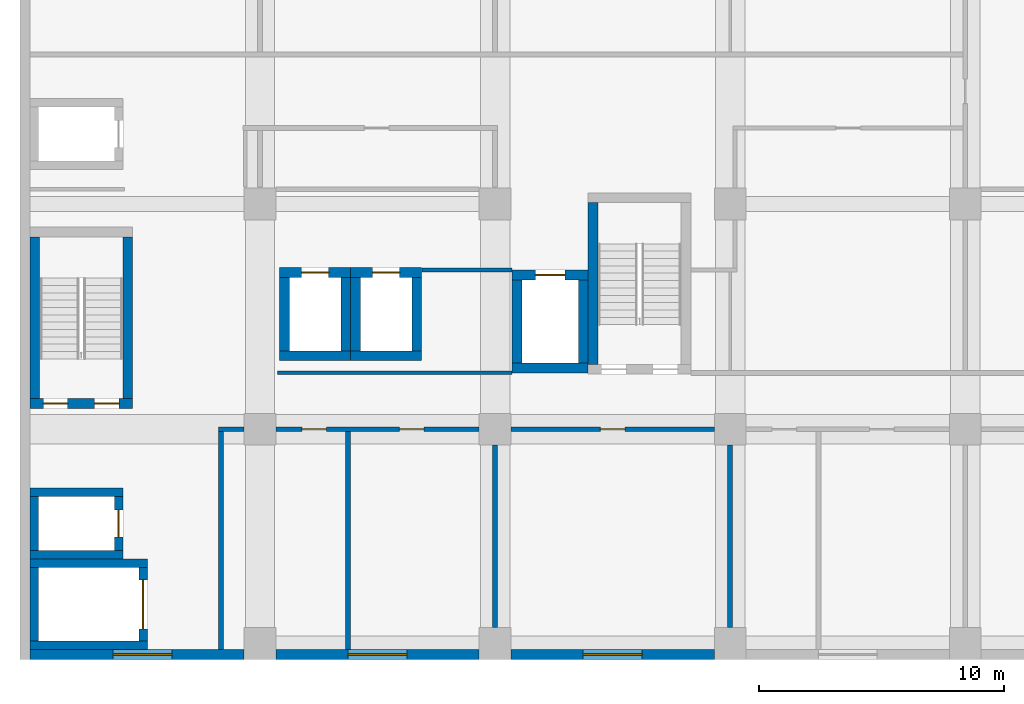
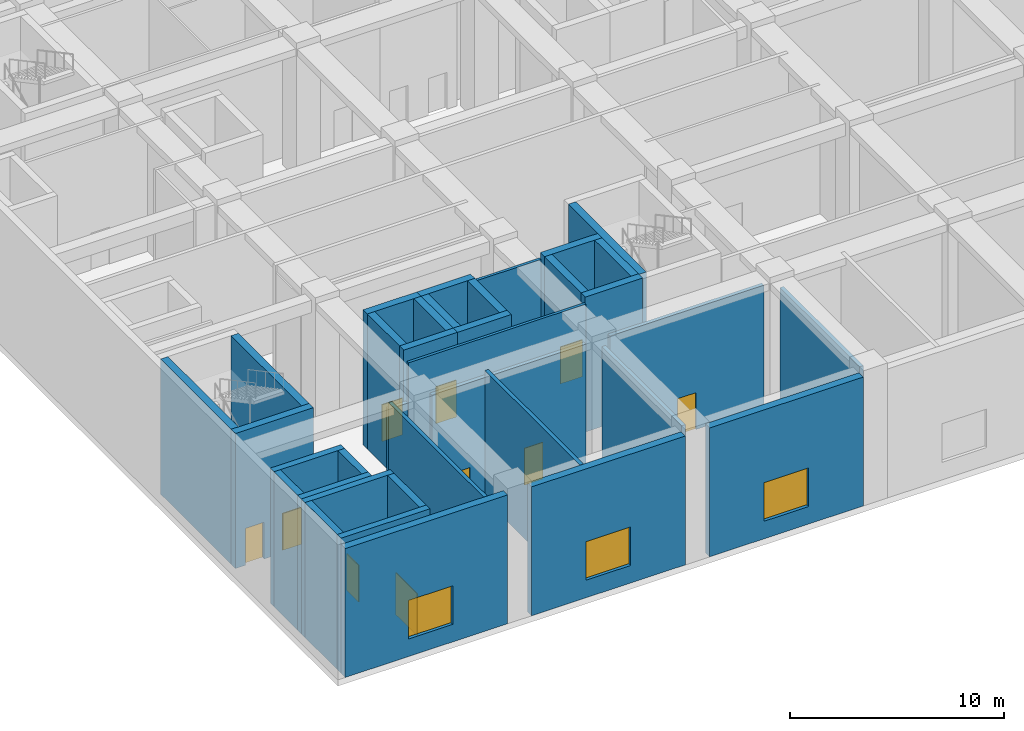
# One storey, part 11 of 33: 36 walls, 10 doors, 3 windows, 13 openings.
"""IFC4 building model written with IfcOpenShell, lengths in metres."""

from ifc_helpers import new_model, si_unit, direction, frame, frame_2d, origin, place, context, subcontext, project, spatial, rectangle, extrude, material, layer, layer_set, layer_usage, type_object, element, fill, save


model = new_model("IFC4")

# Units and contexts
model_context = context("Model", 3, precision=1e-05, world=origin(), true_north=direction((0.0, 1.0)))
body_context = subcontext(model_context, "Body", "Model", "MODEL_VIEW")
ifc_project = project(units=[si_unit("LENGTHUNIT", "METRE"), si_unit("AREAUNIT", "SQUARE_METRE"), si_unit("VOLUMEUNIT", "CUBIC_METRE"), si_unit("PLANEANGLEUNIT", "RADIAN"), si_unit("MASSUNIT", "GRAM", prefix="KILO")], contexts=[model_context])

# Site, building, storey
site_placement = place(None, origin())
site = spatial("IfcSite", under=ifc_project, at=site_placement, CompositionType="ELEMENT")
building_placement = place(site_placement, origin())
building = spatial("IfcBuilding", under=site, at=building_placement, Name="Nzadi Deep Aquarium and Research Tower", CompositionType="ELEMENT")
storey_placement = place(building_placement, frame((0.0, 0.0, 6.5)))
storey = spatial("IfcBuildingStorey", under=building, at=storey_placement, Name="L01", CompositionType="ELEMENT", Elevation=6.5)

# Walls
ifc_material_1 = material(Name="Blockwork masonry", Category="masonry")
ifc_layer_1 = layer(ifc_material_1, 0.14990234375)
ifc_layer_set_1 = layer_set([ifc_layer_1], Name="Blockwork masonry")
wall_type_1 = type_object("IfcWallType", Name="Partition 150 EI 60", PredefinedType="PARTITIONING", material=ifc_layer_set_1)
wall_1_placement = place(storey_placement, frame((10.324951171875, 11.5, 0.0), z_axis=(0.0, 0.0, 1.0), x_axis=(1.0, 0.0, 0.0)))
element("IfcWall", 1, at=wall_1_placement, inside=storey, type_object=wall_type_1, Name="W-Z1-L01-P019", PredefinedType="PARTITIONING", context=body_context, shape_type="SweptSolid", body=[
    extrude(rectangle(XDim=9.569091796875, YDim=0.14990234375, at=frame_2d((4.78466796875, 0.0))), origin(), (0.0, 0.0, 1.0), 7.35009765625),
])
wall_2_placement = place(storey_placement, frame((16.2060546875, 15.699951171875, 0.0), z_axis=(0.0, 0.0, 1.0), x_axis=(1.0, 0.0, 0.0)))
element("IfcWall", 2, at=wall_2_placement, inside=storey, type_object=wall_type_1, Name="W-Z1-L01-P023", PredefinedType="PARTITIONING", context=body_context, shape_type="SweptSolid", body=[
    extrude(rectangle(XDim=3.68798828125, YDim=0.14990234375, at=frame_2d((1.843994140625, 0.0))), origin(), (0.0, 0.0, 1.0), 7.35009765625),
])
ifc_material_2 = material(Name="Blockwork masonry", Category="masonry")
ifc_layer_2 = layer(ifc_material_2, 0.199951171875)
ifc_layer_set_2 = layer_set([ifc_layer_2], Name="Blockwork masonry")
wall_type_2 = type_object("IfcWallType", Name="Partition 200 EI 120", PredefinedType="PARTITIONING", material=ifc_layer_set_2)
for number, where, z_axis, x_axis, name in (
    (3, (8.0, 0.2060546875, 0.0), (0.0, 0.0, 1.0), (0.0, 1.0, 0.0), "W-Z1-L01-P004"),
    (4, (13.199951171875, 0.2060546875, 0.0), (0.0, 0.0, 1.0), (0.0, 1.0, 0.0), "W-Z1-L01-P020"),
):
    element("IfcWall", number, at=place(storey_placement, frame(where, z_axis=z_axis, x_axis=x_axis)), inside=storey, type_object=wall_type_2, Name=name, PredefinedType="PARTITIONING", context=body_context, shape_type="SweptSolid", body=[
        extrude(rectangle(XDim=8.89404296875, YDim=0.199951171875, at=frame_2d((4.447021484375, 0.0))), origin(), (0.0, 0.0, 1.0), 7.35009765625),
    ])
ifc_material_3 = material(Name="Blockwork masonry", Category="masonry")
ifc_layer_3 = layer(ifc_material_3, 0.199951171875)
ifc_layer_set_3 = layer_set([ifc_layer_3], Name="Blockwork masonry")
wall_type_3 = type_object("IfcWallType", Name="Partition 200 EI 120, 6.95 m high", PredefinedType="PARTITIONING", material=ifc_layer_set_3)
wall_3_placement = place(storey_placement, frame((7.89990234375, 9.199951171875, 0.0), z_axis=(0.0, 0.0, 1.0), x_axis=(1.0, 0.0, 0.0)))
element("IfcWall", 5, at=wall_3_placement, inside=storey, type_object=wall_type_3, Name="W-Z1-L01-P005", PredefinedType="PARTITIONING", context=body_context, shape_type="SweptSolid", body=[
    extrude(rectangle(XDim=1.050048828125, YDim=0.199951171875, at=frame_2d((0.52490234375, 0.0))), origin(), (0.0, 0.0, 1.0), 6.949951171875),
])

# Wall, openings, doors
wall_4_placement = place(storey_placement, frame((10.25, 9.199951171875, 0.0), z_axis=(0.0, 0.0, 1.0), x_axis=(1.0, 0.0, 0.0)))
wall_4 = element("IfcWall", 6, at=wall_4_placement, inside=storey, type_object=wall_type_3, Name="W-Z1-L01-P016", PredefinedType="PARTITIONING", context=body_context, shape_type="SweptSolid", body=[
    extrude(rectangle(XDim=8.300048828125, YDim=0.199951171875, at=frame_2d((4.14990234375, 0.0))), origin(), (0.0, 0.0, 1.0), 6.949951171875),
])
opening_1_placement = place(wall_4_placement, frame((1.06005859375, 0.0, 0.0)))
opening_1 = element("IfcOpeningElement", 7, at=opening_1_placement, cuts=wall_4, Name="Opening D021009", PredefinedType="OPENING", context=body_context, shape_type="SweptSolid", body=[
    extrude(rectangle(XDim=1.0, YDim=2.10009765625, at=frame_2d((0.5, 1.050048828125))), frame((0.0, 0.110107421875, 0.0), z_axis=(0.0, -1.0, 0.0), x_axis=(1.0, 0.0, 0.0)), (0.0, 0.0, 1.0), 0.22021484375),
])
opening_2_placement = place(wall_4_placement, frame((5.0400390625, 0.0, 0.0)))
opening_2 = element("IfcOpeningElement", 8, at=opening_2_placement, cuts=wall_4, Name="Opening D021010", PredefinedType="OPENING", context=body_context, shape_type="SweptSolid", body=[
    extrude(rectangle(XDim=1.0, YDim=2.10009765625, at=frame_2d((0.5, 1.050048828125))), frame((0.0, 0.110107421875, 0.0), z_axis=(0.0, -1.0, 0.0), x_axis=(1.0, 0.0, 0.0)), (0.0, 0.0, 1.0), 0.22021484375),
])
ifc_material_4 = material(Name="Fire-rated steel door", Category="steel")
ifc_layer_4 = layer(ifc_material_4, 0.050048828125)
ifc_layer_set_4 = layer_set([ifc_layer_4], Name="Fire-rated steel door")
door_type_1 = type_object("IfcDoorType", Name="Door 1000x2100 EI 120 single", OperationType="SINGLE_SWING_LEFT", PredefinedType="DOOR", material=ifc_layer_set_4)
door_1_placement = place(opening_1_placement, origin())
door_1 = element("IfcDoor", 9, at=door_1_placement, inside=storey, type_object=door_type_1, Name="D021009", OperationType="SINGLE_SWING_LEFT", OverallHeight=2.10009765625, OverallWidth=1.0, PredefinedType="DOOR", context=body_context, shape_type="SweptSolid", body=[
    extrude(rectangle(XDim=1.0, YDim=2.10009765625, at=frame_2d((0.5, 1.050048828125))), frame((0.0, 0.02490234375, 0.0), z_axis=(0.0, -1.0, 0.0), x_axis=(1.0, 0.0, 0.0)), (0.0, 0.0, 1.0), 0.050048828125),
])
fill(opening_1, door_1)
door_2_placement = place(opening_2_placement, origin())
door_2 = element("IfcDoor", 10, at=door_2_placement, inside=storey, type_object=door_type_1, Name="D021010", OperationType="SINGLE_SWING_RIGHT", OverallHeight=2.10009765625, OverallWidth=1.0, PredefinedType="DOOR", context=body_context, shape_type="SweptSolid", body=[
    extrude(rectangle(XDim=1.0, YDim=2.10009765625, at=frame_2d((0.5, 1.050048828125))), frame((0.0, 0.02490234375, 0.0), z_axis=(0.0, -1.0, 0.0), x_axis=(1.0, 0.0, 0.0)), (0.0, 0.0, 1.0), 0.050048828125),
])
fill(opening_2, door_2)

# Wall
wall_5_placement = place(storey_placement, frame((19.199951171875, 1.10009765625, 0.0), z_axis=(0.0, 0.0, 1.0), x_axis=(0.0, 1.0, 0.0)))
element("IfcWall", 11, at=wall_5_placement, inside=storey, type_object=wall_type_3, Name="W-Z1-L01-P024", PredefinedType="PARTITIONING", context=body_context, shape_type="SweptSolid", body=[
    extrude(rectangle(XDim=7.449951171875, YDim=0.199951171875, at=frame_2d((3.72509765625, 0.0))), origin(), (0.0, 0.0, 1.0), 6.949951171875),
])

# Wall, opening, door
wall_6_placement = place(storey_placement, frame((19.85009765625, 9.199951171875, 0.0), z_axis=(0.0, 0.0, 1.0), x_axis=(1.0, 0.0, 0.0)))
wall_6 = element("IfcWall", 12, at=wall_6_placement, inside=storey, type_object=wall_type_3, Name="W-Z1-L01-P028", PredefinedType="PARTITIONING", context=body_context, shape_type="SweptSolid", body=[
    extrude(rectangle(XDim=8.2998046875, YDim=0.199951171875, at=frame_2d((4.14990234375, 0.0))), origin(), (0.0, 0.0, 1.0), 6.949951171875),
])
opening_3_placement = place(wall_6_placement, frame((3.64990234375, 0.0, 0.0)))
opening_3 = element("IfcOpeningElement", 13, at=opening_3_placement, cuts=wall_6, Name="Opening D021011", PredefinedType="OPENING", context=body_context, shape_type="SweptSolid", body=[
    extrude(rectangle(XDim=1.0, YDim=2.10009765625, at=frame_2d((0.5, 1.050048828125))), frame((0.0, 0.110107421875, 0.0), z_axis=(0.0, -1.0, 0.0), x_axis=(1.0, 0.0, 0.0)), (0.0, 0.0, 1.0), 0.22021484375),
])
door_3_placement = place(opening_3_placement, origin())
door_3 = element("IfcDoor", 14, at=door_3_placement, inside=storey, type_object=door_type_1, Name="D021011", OperationType="SINGLE_SWING_LEFT", OverallHeight=2.10009765625, OverallWidth=1.0, PredefinedType="DOOR", context=body_context, shape_type="SweptSolid", body=[
    extrude(rectangle(XDim=1.0, YDim=2.10009765625, at=frame_2d((0.5, 1.050048828125))), frame((0.0, 0.02490234375, 0.0), z_axis=(0.0, -1.0, 0.0), x_axis=(1.0, 0.0, 0.0)), (0.0, 0.0, 1.0), 0.050048828125),
])
fill(opening_3, door_3)

# Walls
wall_7_placement = place(storey_placement, frame((28.800048828125, 1.10009765625, 0.0), z_axis=(0.0, 0.0, 1.0), x_axis=(0.0, 1.0, 0.0)))
element("IfcWall", 15, at=wall_7_placement, inside=storey, type_object=wall_type_3, Name="W-Z1-L01-P035", PredefinedType="PARTITIONING", context=body_context, shape_type="SweptSolid", body=[
    extrude(rectangle(XDim=7.449951171875, YDim=0.199951171875, at=frame_2d((3.72509765625, 0.0))), origin(), (0.0, 0.0, 1.0), 6.949951171875),
])
ifc_material_5 = material(Name="Concrete C35/45", Category="concrete")
ifc_layer_5 = layer(ifc_material_5, 0.35009765625)
ifc_layer_set_5 = layer_set([ifc_layer_5], Name="Concrete C35/45")
wall_type_4 = type_object("IfcWallType", Name="RC core wall 350, 7.50 to 7.70 m high", PredefinedType="SHEAR", material=ifc_layer_set_5)
for number, where, z_axis, x_axis, name in (
    (16, (0.199951171875, 0.375, 0.0), (0.0, 0.0, 1.0), (1.0, 0.0, 0.0), "W-CORE-GL1-L01-S"),
    (17, (0.199951171875, 3.72509765625, 0.0), (0.0, 0.0, 1.0), (1.0, 0.0, 0.0), "W-CORE-GL1-L01-N"),
):
    element("IfcWall", number, at=place(storey_placement, frame(where, z_axis=z_axis, x_axis=x_axis)), inside=storey, type_object=wall_type_4, Name=name, PredefinedType="SHEAR", context=body_context, shape_type="SweptSolid", body=[
        extrude(rectangle(XDim=4.800048828125, YDim=0.35009765625, at=frame_2d((2.39990234375, 0.0))), origin(), (0.0, 0.0, 1.0), 7.699951171875),
    ])
wall_8_placement = place(storey_placement, frame((0.375, 0.550048828125, 0.0), z_axis=(0.0, 0.0, 1.0), x_axis=(0.0, 1.0, 0.0)))
element("IfcWall", 18, at=wall_8_placement, inside=storey, type_object=wall_type_4, Name="W-CORE-GL1-L01-W", PredefinedType="SHEAR", context=body_context, shape_type="SweptSolid", body=[
    extrude(rectangle(XDim=3.0, YDim=0.35009765625, at=frame_2d((1.5, 0.0))), origin(), (0.0, 0.0, 1.0), 7.699951171875),
])

# Wall, opening, door
wall_9_placement = place(storey_placement, frame((4.824951171875, 0.550048828125, 0.0), z_axis=(0.0, 0.0, 1.0), x_axis=(0.0, 1.0, 0.0)))
wall_9 = element("IfcWall", 19, at=wall_9_placement, inside=storey, type_object=wall_type_4, Name="W-CORE-GL1-L01-E", PredefinedType="SHEAR", context=body_context, shape_type="SweptSolid", body=[
    extrude(rectangle(XDim=3.0, YDim=0.35009765625, at=frame_2d((1.5, 0.0))), origin(), (0.0, 0.0, 1.0), 7.699951171875),
])
opening_4_placement = place(wall_9_placement, frame((0.5, 0.0, 0.0)))
opening_4 = element("IfcOpeningElement", 20, at=opening_4_placement, cuts=wall_9, Name="Opening LD-GL1-L01", PredefinedType="OPENING", context=body_context, shape_type="SweptSolid", body=[
    extrude(rectangle(XDim=2.0, YDim=2.39990234375, at=frame_2d((1.0, 1.199951171875))), frame((0.0, 0.18505859375, 0.0), z_axis=(0.0, -1.0, 0.0), x_axis=(1.0, 0.0, 0.0)), (0.0, 0.0, 1.0), 0.3701171875),
])
ifc_material_6 = material(Name="Stainless steel 1.4301", Category="steel")
door_type_2 = type_object("IfcDoorType", Name="LANDING DOOR 2000x2400", OperationType="DOUBLE_DOOR_SLIDING", PredefinedType="DOOR", material=ifc_material_6)
door_4_placement = place(opening_4_placement, origin())
door_4 = element("IfcDoor", 21, at=door_4_placement, inside=storey, type_object=door_type_2, Name="Landing door GL1 L01", OperationType="DOUBLE_DOOR_SLIDING", OverallHeight=2.39990234375, OverallWidth=2.0, PredefinedType="DOOR", context=body_context, shape_type="SweptSolid", body=[
    extrude(rectangle(XDim=2.0, YDim=2.39990234375, at=frame_2d((1.0, 1.199951171875))), frame((0.0, 0.02490234375, 0.0), z_axis=(0.0, -1.0, 0.0), x_axis=(1.0, 0.0, 0.0)), (0.0, 0.0, 1.0), 0.050048828125),
])
fill(opening_4, door_4)

# Walls
for number, where, z_axis, x_axis, name in (
    (22, (0.199951171875, 4.074951171875, 0.0), (0.0, 0.0, 1.0), (1.0, 0.0, 0.0), "W-CORE-EL1-L01-S"),
    (23, (0.199951171875, 6.625, 0.0), (0.0, 0.0, 1.0), (1.0, 0.0, 0.0), "W-CORE-EL1-L01-N"),
):
    element("IfcWall", number, at=place(storey_placement, frame(where, z_axis=z_axis, x_axis=x_axis)), inside=storey, type_object=wall_type_4, Name=name, PredefinedType="SHEAR", context=body_context, shape_type="SweptSolid", body=[
        extrude(rectangle(XDim=3.800048828125, YDim=0.35009765625, at=frame_2d((1.89990234375, 0.0))), origin(), (0.0, 0.0, 1.0), 7.699951171875),
    ])
wall_10_placement = place(storey_placement, frame((0.375, 4.25, 0.0), z_axis=(0.0, 0.0, 1.0), x_axis=(0.0, 1.0, 0.0)))
element("IfcWall", 24, at=wall_10_placement, inside=storey, type_object=wall_type_4, Name="W-CORE-EL1-L01-W", PredefinedType="SHEAR", context=body_context, shape_type="SweptSolid", body=[
    extrude(rectangle(XDim=2.199951171875, YDim=0.35009765625, at=frame_2d((1.10009765625, 0.0))), origin(), (0.0, 0.0, 1.0), 7.699951171875),
])

# Wall, opening, door
wall_11_placement = place(storey_placement, frame((3.824951171875, 4.25, 0.0), z_axis=(0.0, 0.0, 1.0), x_axis=(0.0, 1.0, 0.0)))
wall_11 = element("IfcWall", 25, at=wall_11_placement, inside=storey, type_object=wall_type_4, Name="W-CORE-EL1-L01-E", PredefinedType="SHEAR", context=body_context, shape_type="SweptSolid", body=[
    extrude(rectangle(XDim=2.199951171875, YDim=0.35009765625, at=frame_2d((1.10009765625, 0.0))), origin(), (0.0, 0.0, 1.0), 7.699951171875),
])
opening_5_placement = place(wall_11_placement, frame((0.550048828125, 0.0, 0.0)))
opening_5 = element("IfcOpeningElement", 26, at=opening_5_placement, cuts=wall_11, Name="Opening LD-EL1-L01", PredefinedType="OPENING", context=body_context, shape_type="SweptSolid", body=[
    extrude(rectangle(XDim=1.10009765625, YDim=2.10009765625, at=frame_2d((0.550048828125, 1.050048828125))), frame((0.0, 0.18505859375, 0.0), z_axis=(0.0, -1.0, 0.0), x_axis=(1.0, 0.0, 0.0)), (0.0, 0.0, 1.0), 0.3701171875),
])
ifc_material_7 = material(Name="Stainless steel 1.4301", Category="steel")
door_type_3 = type_object("IfcDoorType", Name="LANDING DOOR 1100x2100", OperationType="DOUBLE_DOOR_SLIDING", PredefinedType="DOOR", material=ifc_material_7)
door_5_placement = place(opening_5_placement, origin())
door_5 = element("IfcDoor", 27, at=door_5_placement, inside=storey, type_object=door_type_3, Name="Landing door EL1 L01", OperationType="DOUBLE_DOOR_SLIDING", OverallHeight=2.10009765625, OverallWidth=1.10009765625, PredefinedType="DOOR", context=body_context, shape_type="SweptSolid", body=[
    extrude(rectangle(XDim=1.10009765625, YDim=2.10009765625, at=frame_2d((0.550048828125, 1.050048828125))), frame((0.0, 0.02490234375, 0.0), z_axis=(0.0, -1.0, 0.0), x_axis=(1.0, 0.0, 0.0)), (0.0, 0.0, 1.0), 0.050048828125),
])
fill(opening_5, door_5)

# Wall, openings, doors
ifc_material_8 = material(Name="Concrete C35/45", Category="concrete")
ifc_layer_6 = layer(ifc_material_8, 0.39990234375)
ifc_layer_set_6 = layer_set([ifc_layer_6], Name="Concrete C35/45")
wall_type_5 = type_object("IfcWallType", Name="RC core wall 400, 7.50 to 7.70 m high", PredefinedType="SHEAR", material=ifc_layer_set_6)
wall_12_placement = place(storey_placement, frame((0.199951171875, 10.25, 0.0), z_axis=(0.0, 0.0, 1.0), x_axis=(1.0, 0.0, 0.0)))
wall_12 = element("IfcWall", 28, at=wall_12_placement, inside=storey, type_object=wall_type_5, Name="W-CORE-ST-Z1-SW-L01-S", PredefinedType="SHEAR", context=body_context, shape_type="SweptSolid", body=[
    extrude(rectangle(XDim=4.199951171875, YDim=0.39990234375, at=frame_2d((2.10009765625, 0.0))), origin(), (0.0, 0.0, 1.0), 7.699951171875),
])
opening_6_placement = place(wall_12_placement, frame((0.550048828125, 0.0, 0.0)))
opening_6 = element("IfcOpeningElement", 29, at=opening_6_placement, cuts=wall_12, Name="Opening DS-Z1-SW-L01A", PredefinedType="OPENING", context=body_context, shape_type="SweptSolid", body=[
    extrude(rectangle(XDim=1.0, YDim=2.10009765625, at=frame_2d((0.5, 1.050048828125))), frame((0.0, 0.2099609375, 0.0), z_axis=(0.0, -1.0, 0.0), x_axis=(1.0, 0.0, 0.0)), (0.0, 0.0, 1.0), 0.419921875),
])
opening_7_placement = place(wall_12_placement, frame((2.64990234375, 0.0, 0.0)))
opening_7 = element("IfcOpeningElement", 30, at=opening_7_placement, cuts=wall_12, Name="Opening DS-Z1-SW-L01B", PredefinedType="OPENING", context=body_context, shape_type="SweptSolid", body=[
    extrude(rectangle(XDim=1.0, YDim=2.10009765625, at=frame_2d((0.5, 1.050048828125))), frame((0.0, 0.2099609375, 0.0), z_axis=(0.0, -1.0, 0.0), x_axis=(1.0, 0.0, 0.0)), (0.0, 0.0, 1.0), 0.419921875),
])
ifc_material_9 = material(Name="Steel, powder coated", Category="steel")
door_type_4 = type_object("IfcDoorType", Name="STAIR DOOR 1000x2100 EI 60", OperationType="SINGLE_SWING_LEFT", PredefinedType="DOOR", material=ifc_material_9)
door_6_placement = place(opening_6_placement, origin())
door_6 = element("IfcDoor", 31, at=door_6_placement, inside=storey, type_object=door_type_4, Name="Stair door ST-Z1-SW L01 A", OperationType="SINGLE_SWING_RIGHT", OverallHeight=2.10009765625, OverallWidth=1.0, PredefinedType="DOOR", context=body_context, shape_type="SweptSolid", body=[
    extrude(rectangle(XDim=1.0, YDim=2.10009765625, at=frame_2d((0.5, 1.050048828125))), frame((0.0, 0.02490234375, 0.0), z_axis=(0.0, -1.0, 0.0), x_axis=(1.0, 0.0, 0.0)), (0.0, 0.0, 1.0), 0.050048828125),
])
fill(opening_6, door_6)
door_7_placement = place(opening_7_placement, origin())
door_7 = element("IfcDoor", 32, at=door_7_placement, inside=storey, type_object=door_type_4, Name="Stair door ST-Z1-SW L01 B", OperationType="SINGLE_SWING_LEFT", OverallHeight=2.10009765625, OverallWidth=1.0, PredefinedType="DOOR", context=body_context, shape_type="SweptSolid", body=[
    extrude(rectangle(XDim=1.0, YDim=2.10009765625, at=frame_2d((0.5, 1.050048828125))), frame((0.0, 0.02490234375, 0.0), z_axis=(0.0, -1.0, 0.0), x_axis=(1.0, 0.0, 0.0)), (0.0, 0.0, 1.0), 0.050048828125),
])
fill(opening_7, door_7)

# Walls
for number, where, z_axis, x_axis, name in (
    (33, (0.39990234375, 10.449951171875, 0.0), (0.0, 0.0, 1.0), (0.0, 1.0, 0.0), "W-CORE-ST-Z1-SW-L01-W"),
    (34, (4.199951171875, 10.449951171875, 0.0), (0.0, 0.0, 1.0), (0.0, 1.0, 0.0), "W-CORE-ST-Z1-SW-L01-E"),
):
    element("IfcWall", number, at=place(storey_placement, frame(where, z_axis=z_axis, x_axis=x_axis)), inside=storey, type_object=wall_type_5, Name=name, PredefinedType="SHEAR", context=body_context, shape_type="SweptSolid", body=[
        extrude(rectangle(XDim=6.60009765625, YDim=0.39990234375, at=frame_2d((3.300048828125, 0.0))), origin(), (0.0, 0.0, 1.0), 7.699951171875),
    ])
wall_13_placement = place(storey_placement, frame((23.199951171875, 11.85009765625, 0.0), z_axis=(0.0, 0.0, 1.0), x_axis=(0.0, 1.0, 0.0)))
element("IfcWall", 35, at=wall_13_placement, inside=storey, type_object=wall_type_5, Name="W-CORE-ST-Z1-SE-L01-W", PredefinedType="SHEAR", context=body_context, shape_type="SweptSolid", body=[
    extrude(rectangle(XDim=6.599853515625, YDim=0.39990234375, at=frame_2d((3.2998046875, 0.0))), origin(), (0.0, 0.0, 1.0), 7.699951171875),
])
wall_14_placement = place(storey_placement, frame((10.39990234375, 12.199951171875, 0.0), z_axis=(0.0, 0.0, 1.0), x_axis=(1.0, 0.0, 0.0)))
element("IfcWall", 36, at=wall_14_placement, inside=storey, type_object=wall_type_5, Name="W-CORE-TL1-L01-S", PredefinedType="SHEAR", context=body_context, shape_type="SweptSolid", body=[
    extrude(rectangle(XDim=2.900146484375, YDim=0.39990234375, at=frame_2d((1.4501953125, 0.0))), origin(), (0.0, 0.0, 1.0), 7.699951171875),
])

# Wall, opening, door
wall_15_placement = place(storey_placement, frame((10.39990234375, 15.60009765625, 0.0), z_axis=(0.0, 0.0, 1.0), x_axis=(1.0, 0.0, 0.0)))
wall_15 = element("IfcWall", 37, at=wall_15_placement, inside=storey, type_object=wall_type_5, Name="W-CORE-TL1-L01-N", PredefinedType="SHEAR", context=body_context, shape_type="SweptSolid", body=[
    extrude(rectangle(XDim=2.900146484375, YDim=0.39990234375, at=frame_2d((1.4501953125, 0.0))), origin(), (0.0, 0.0, 1.0), 7.699951171875),
])
opening_8_placement = place(wall_15_placement, frame((0.89990234375, 0.0, 0.0)))
opening_8 = element("IfcOpeningElement", 38, at=opening_8_placement, cuts=wall_15, Name="Opening LD-TL1-L01", PredefinedType="OPENING", context=body_context, shape_type="SweptSolid", body=[
    extrude(rectangle(XDim=1.10009765625, YDim=2.10009765625, at=frame_2d((0.550048828125, 1.050048828125))), frame((0.0, 0.2099609375, 0.0), z_axis=(0.0, -1.0, 0.0), x_axis=(1.0, 0.0, 0.0)), (0.0, 0.0, 1.0), 0.419921875),
])
door_8_placement = place(opening_8_placement, origin())
door_8 = element("IfcDoor", 39, at=door_8_placement, inside=storey, type_object=door_type_3, Name="Landing door TL1 L01", OperationType="DOUBLE_DOOR_SLIDING", OverallHeight=2.10009765625, OverallWidth=1.10009765625, PredefinedType="DOOR", context=body_context, shape_type="SweptSolid", body=[
    extrude(rectangle(XDim=1.10009765625, YDim=2.10009765625, at=frame_2d((0.550048828125, 1.050048828125))), frame((0.0, 0.02490234375, 0.0), z_axis=(0.0, -1.0, 0.0), x_axis=(1.0, 0.0, 0.0)), (0.0, 0.0, 1.0), 0.050048828125),
])
fill(opening_8, door_8)

# Walls
for number, where, z_axis, x_axis, name in (
    (40, (10.60009765625, 12.39990234375, 0.0), (0.0, 0.0, 1.0), (0.0, 1.0, 0.0), "W-CORE-TL1-L01-W"),
    (41, (13.10009765625, 12.39990234375, 0.0), (0.0, 0.0, 1.0), (0.0, 1.0, 0.0), "W-CORE-TL1-L01-E"),
):
    element("IfcWall", number, at=place(storey_placement, frame(where, z_axis=z_axis, x_axis=x_axis)), inside=storey, type_object=wall_type_5, Name=name, PredefinedType="SHEAR", context=body_context, shape_type="SweptSolid", body=[
        extrude(rectangle(XDim=3.0, YDim=0.39990234375, at=frame_2d((1.5, 0.0))), origin(), (0.0, 0.0, 1.0), 7.699951171875),
    ])
wall_16_placement = place(storey_placement, frame((13.300048828125, 12.199951171875, 0.0), z_axis=(0.0, 0.0, 1.0), x_axis=(1.0, 0.0, 0.0)))
element("IfcWall", 42, at=wall_16_placement, inside=storey, type_object=wall_type_5, Name="W-CORE-TL2-L01-S", PredefinedType="SHEAR", context=body_context, shape_type="SweptSolid", body=[
    extrude(rectangle(XDim=2.89990234375, YDim=0.39990234375, at=frame_2d((1.449951171875, 0.0))), origin(), (0.0, 0.0, 1.0), 7.699951171875),
])

# Wall, opening, door
wall_17_placement = place(storey_placement, frame((13.300048828125, 15.60009765625, 0.0), z_axis=(0.0, 0.0, 1.0), x_axis=(1.0, 0.0, 0.0)))
wall_17 = element("IfcWall", 43, at=wall_17_placement, inside=storey, type_object=wall_type_5, Name="W-CORE-TL2-L01-N", PredefinedType="SHEAR", context=body_context, shape_type="SweptSolid", body=[
    extrude(rectangle(XDim=2.89990234375, YDim=0.39990234375, at=frame_2d((1.449951171875, 0.0))), origin(), (0.0, 0.0, 1.0), 7.699951171875),
])
opening_9_placement = place(wall_17_placement, frame((0.89990234375, 0.0, 0.0)))
opening_9 = element("IfcOpeningElement", 44, at=opening_9_placement, cuts=wall_17, Name="Opening LD-TL2-L01", PredefinedType="OPENING", context=body_context, shape_type="SweptSolid", body=[
    extrude(rectangle(XDim=1.10009765625, YDim=2.10009765625, at=frame_2d((0.550048828125, 1.050048828125))), frame((0.0, 0.2099609375, 0.0), z_axis=(0.0, -1.0, 0.0), x_axis=(1.0, 0.0, 0.0)), (0.0, 0.0, 1.0), 0.419921875),
])
door_9_placement = place(opening_9_placement, origin())
door_9 = element("IfcDoor", 45, at=door_9_placement, inside=storey, type_object=door_type_3, Name="Landing door TL2 L01", OperationType="DOUBLE_DOOR_SLIDING", OverallHeight=2.10009765625, OverallWidth=1.10009765625, PredefinedType="DOOR", context=body_context, shape_type="SweptSolid", body=[
    extrude(rectangle(XDim=1.10009765625, YDim=2.10009765625, at=frame_2d((0.550048828125, 1.050048828125))), frame((0.0, 0.02490234375, 0.0), z_axis=(0.0, -1.0, 0.0), x_axis=(1.0, 0.0, 0.0)), (0.0, 0.0, 1.0), 0.050048828125),
])
fill(opening_9, door_9)

# Walls
for number, where, z_axis, x_axis, name in (
    (46, (13.5, 12.39990234375, 0.0), (0.0, 0.0, 1.0), (0.0, 1.0, 0.0), "W-CORE-TL2-L01-W"),
    (47, (16.0, 12.39990234375, 0.0), (0.0, 0.0, 1.0), (0.0, 1.0, 0.0), "W-CORE-TL2-L01-E"),
):
    element("IfcWall", number, at=place(storey_placement, frame(where, z_axis=z_axis, x_axis=x_axis)), inside=storey, type_object=wall_type_5, Name=name, PredefinedType="SHEAR", context=body_context, shape_type="SweptSolid", body=[
        extrude(rectangle(XDim=3.0, YDim=0.39990234375, at=frame_2d((1.5, 0.0))), origin(), (0.0, 0.0, 1.0), 7.699951171875),
    ])
wall_18_placement = place(storey_placement, frame((19.89990234375, 11.699951171875, 0.0), z_axis=(0.0, 0.0, 1.0), x_axis=(1.0, 0.0, 0.0)))
element("IfcWall", 48, at=wall_18_placement, inside=storey, type_object=wall_type_5, Name="W-CORE-FL1-L01-S", PredefinedType="SHEAR", context=body_context, shape_type="SweptSolid", body=[
    extrude(rectangle(XDim=3.10009765625, YDim=0.39990234375, at=frame_2d((1.550048828125, 0.0))), origin(), (0.0, 0.0, 1.0), 7.699951171875),
])

# Wall, opening, door
wall_19_placement = place(storey_placement, frame((19.89990234375, 15.5, 0.0), z_axis=(0.0, 0.0, 1.0), x_axis=(1.0, 0.0, 0.0)))
wall_19 = element("IfcWall", 49, at=wall_19_placement, inside=storey, type_object=wall_type_5, Name="W-CORE-FL1-L01-N", PredefinedType="SHEAR", context=body_context, shape_type="SweptSolid", body=[
    extrude(rectangle(XDim=3.10009765625, YDim=0.39990234375, at=frame_2d((1.550048828125, 0.0))), origin(), (0.0, 0.0, 1.0), 7.699951171875),
])
opening_10_placement = place(wall_19_placement, frame((0.949951171875, 0.0, 0.0)))
opening_10 = element("IfcOpeningElement", 50, at=opening_10_placement, cuts=wall_19, Name="Opening LD-FL1-L01", PredefinedType="OPENING", context=body_context, shape_type="SweptSolid", body=[
    extrude(rectangle(XDim=1.199951171875, YDim=2.10009765625, at=frame_2d((0.60009765625, 1.050048828125))), frame((0.0, 0.2099609375, 0.0), z_axis=(0.0, -1.0, 0.0), x_axis=(1.0, 0.0, 0.0)), (0.0, 0.0, 1.0), 0.419921875),
])
ifc_material_10 = material(Name="Stainless steel 1.4301", Category="steel")
door_type_5 = type_object("IfcDoorType", Name="LANDING DOOR 1200x2100", OperationType="DOUBLE_DOOR_SLIDING", PredefinedType="DOOR", material=ifc_material_10)
door_10_placement = place(opening_10_placement, origin())
door_10 = element("IfcDoor", 51, at=door_10_placement, inside=storey, type_object=door_type_5, Name="Landing door FL1 L01", OperationType="DOUBLE_DOOR_SLIDING", OverallHeight=2.10009765625, OverallWidth=1.199951171875, PredefinedType="DOOR", context=body_context, shape_type="SweptSolid", body=[
    extrude(rectangle(XDim=1.199951171875, YDim=2.10009765625, at=frame_2d((0.60009765625, 1.050048828125))), frame((0.0, 0.02490234375, 0.0), z_axis=(0.0, -1.0, 0.0), x_axis=(1.0, 0.0, 0.0)), (0.0, 0.0, 1.0), 0.050048828125),
])
fill(opening_10, door_10)

# Walls
for number, where, z_axis, x_axis, name in (
    (52, (20.10009765625, 11.89990234375, 0.0), (0.0, 0.0, 1.0), (0.0, 1.0, 0.0), "W-CORE-FL1-L01-W"),
    (53, (22.800048828125, 11.89990234375, 0.0), (0.0, 0.0, 1.0), (0.0, 1.0, 0.0), "W-CORE-FL1-L01-E"),
):
    element("IfcWall", number, at=place(storey_placement, frame(where, z_axis=z_axis, x_axis=x_axis)), inside=storey, type_object=wall_type_5, Name=name, PredefinedType="SHEAR", context=body_context, shape_type="SweptSolid", body=[
        extrude(rectangle(XDim=3.400146484375, YDim=0.39990234375, at=frame_2d((1.7001953125, 0.0))), origin(), (0.0, 0.0, 1.0), 7.699951171875),
    ])

# Wall, opening, window
ifc_material_11 = material(Name="Concrete C35/45", Category="concrete")
ifc_layer_7 = layer(ifc_material_11, 0.25, Category="cladding")
ifc_material_12 = material(Name="Mineral wool insulation")
ifc_layer_8 = layer(ifc_material_12, 0.10009765625, Category="insulation")
ifc_material_13 = material(Name="Concrete block lining", Category="concrete")
ifc_layer_9 = layer(ifc_material_13, 0.050048828125, Category="lining")
ifc_layer_set_7 = layer_set([ifc_layer_7, ifc_layer_8, ifc_layer_9], Name="Concrete C35/45, Mineral wool insulation, Concrete block lining")
ifc_layer_usage_1 = layer_usage(ifc_layer_set_7, "AXIS2", "POSITIVE", -0.199951171875)
wall_type_6 = type_object("IfcWallType", Name="South end wall board-formed concrete 400", PredefinedType="ELEMENTEDWALL", material=ifc_layer_set_7)
wall_20_placement = place(storey_placement, frame((0.199951171875, 0.0, 0.0), z_axis=(0.0, 0.0, 1.0), x_axis=(1.0, 0.0, 0.0)))
wall_20 = element("IfcWall", 54, at=wall_20_placement, inside=storey, type_object=wall_type_6, material=ifc_layer_usage_1, Name="South end wall L01", PredefinedType="ELEMENTEDWALL", context=body_context, shape_type="SweptSolid", body=[
    extrude(rectangle(XDim=8.75, YDim=0.39990234375, at=frame_2d((4.375, 0.0))), origin(), (0.0, 0.0, 1.0), 7.35009765625),
])
opening_11_placement = place(wall_20_placement, frame((3.39990234375, 0.0, 1.0)))
opening_11 = element("IfcOpeningElement", 55, at=opening_11_placement, cuts=wall_20, Name="Opening WN09", PredefinedType="OPENING", context=body_context, shape_type="SweptSolid", body=[
    extrude(rectangle(XDim=2.39990234375, YDim=2.199951171875, at=frame_2d((1.199951171875, 1.10009765625))), frame((0.0, 0.2099609375, 0.0), z_axis=(0.0, -1.0, 0.0), x_axis=(1.0, 0.0, 0.0)), (0.0, 0.0, 1.0), 0.419921875),
])
ifc_material_14 = material(Name="Aluminium framed glazing", Category="aluminium")
window_type = type_object("IfcWindowType", Name="Punched window 2400x2200 sill 1000", PartitioningType="SINGLE_PANEL", PredefinedType="WINDOW", material=ifc_material_14)
window_1_placement = place(opening_11_placement, origin())
window_1 = element("IfcWindow", 56, at=window_1_placement, inside=storey, type_object=window_type, Name="Podium south face window L01", OverallHeight=2.199951171875, OverallWidth=2.39990234375, PartitioningType="SINGLE_PANEL", PredefinedType="WINDOW", context=body_context, shape_type="SweptSolid", body=[
    extrude(rectangle(XDim=2.39990234375, YDim=2.199951171875, at=frame_2d((1.199951171875, 1.10009765625))), frame((0.0, 0.030029296875, 0.0), z_axis=(0.0, -1.0, 0.0), x_axis=(1.0, 0.0, 0.0)), (0.0, 0.0, 1.0), 0.06005859375),
])
fill(opening_11, window_1)

ifc_layer_usage_2 = layer_usage(ifc_layer_set_7, "AXIS2", "POSITIVE", -0.199951171875)
wall_21_placement = place(storey_placement, frame((10.25, 0.0, 0.0), z_axis=(0.0, 0.0, 1.0), x_axis=(1.0, 0.0, 0.0)))
wall_21 = element("IfcWall", 57, at=wall_21_placement, inside=storey, type_object=wall_type_6, material=ifc_layer_usage_2, Name="South end wall L01", PredefinedType="ELEMENTEDWALL", context=body_context, shape_type="SweptSolid", body=[
    extrude(rectangle(XDim=8.300048828125, YDim=0.39990234375, at=frame_2d((4.14990234375, 0.0))), origin(), (0.0, 0.0, 1.0), 7.35009765625),
])
opening_12_placement = place(wall_21_placement, frame((2.949951171875, 0.0, 1.0)))
opening_12 = element("IfcOpeningElement", 58, at=opening_12_placement, cuts=wall_21, Name="Opening WN09", PredefinedType="OPENING", context=body_context, shape_type="SweptSolid", body=[
    extrude(rectangle(XDim=2.39990234375, YDim=2.199951171875, at=frame_2d((1.199951171875, 1.10009765625))), frame((0.0, 0.2099609375, 0.0), z_axis=(0.0, -1.0, 0.0), x_axis=(1.0, 0.0, 0.0)), (0.0, 0.0, 1.0), 0.419921875),
])
window_2_placement = place(opening_12_placement, origin())
window_2 = element("IfcWindow", 59, at=window_2_placement, inside=storey, type_object=window_type, Name="Podium south face window L01", OverallHeight=2.199951171875, OverallWidth=2.39990234375, PartitioningType="SINGLE_PANEL", PredefinedType="WINDOW", context=body_context, shape_type="SweptSolid", body=[
    extrude(rectangle(XDim=2.39990234375, YDim=2.199951171875, at=frame_2d((1.199951171875, 1.10009765625))), frame((0.0, 0.030029296875, 0.0), z_axis=(0.0, -1.0, 0.0), x_axis=(1.0, 0.0, 0.0)), (0.0, 0.0, 1.0), 0.06005859375),
])
fill(opening_12, window_2)

ifc_layer_usage_3 = layer_usage(ifc_layer_set_7, "AXIS2", "POSITIVE", -0.199951171875)
wall_22_placement = place(storey_placement, frame((19.85009765625, 0.0, 0.0), z_axis=(0.0, 0.0, 1.0), x_axis=(1.0, 0.0, 0.0)))
wall_22 = element("IfcWall", 60, at=wall_22_placement, inside=storey, type_object=wall_type_6, material=ifc_layer_usage_3, Name="South end wall L01", PredefinedType="ELEMENTEDWALL", context=body_context, shape_type="SweptSolid", body=[
    extrude(rectangle(XDim=8.2998046875, YDim=0.39990234375, at=frame_2d((4.14990234375, 0.0))), origin(), (0.0, 0.0, 1.0), 7.35009765625),
])
opening_13_placement = place(wall_22_placement, frame((2.949951171875, 0.0, 1.0)))
opening_13 = element("IfcOpeningElement", 61, at=opening_13_placement, cuts=wall_22, Name="Opening WN09", PredefinedType="OPENING", context=body_context, shape_type="SweptSolid", body=[
    extrude(rectangle(XDim=2.39990234375, YDim=2.199951171875, at=frame_2d((1.199951171875, 1.10009765625))), frame((0.0, 0.2099609375, 0.0), z_axis=(0.0, -1.0, 0.0), x_axis=(1.0, 0.0, 0.0)), (0.0, 0.0, 1.0), 0.419921875),
])
window_3_placement = place(opening_13_placement, origin())
window_3 = element("IfcWindow", 62, at=window_3_placement, inside=storey, type_object=window_type, Name="Podium south face window L01", OverallHeight=2.199951171875, OverallWidth=2.39990234375, PartitioningType="SINGLE_PANEL", PredefinedType="WINDOW", context=body_context, shape_type="SweptSolid", body=[
    extrude(rectangle(XDim=2.39990234375, YDim=2.199951171875, at=frame_2d((1.199951171875, 1.10009765625))), frame((0.0, 0.030029296875, 0.0), z_axis=(0.0, -1.0, 0.0), x_axis=(1.0, 0.0, 0.0)), (0.0, 0.0, 1.0), 0.06005859375),
])
fill(opening_13, window_3)

save(model, "model.ifc")
